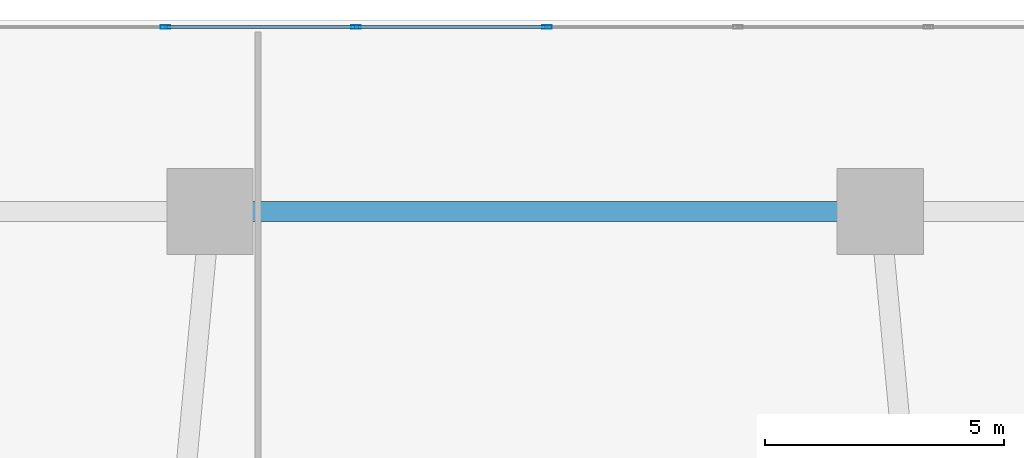
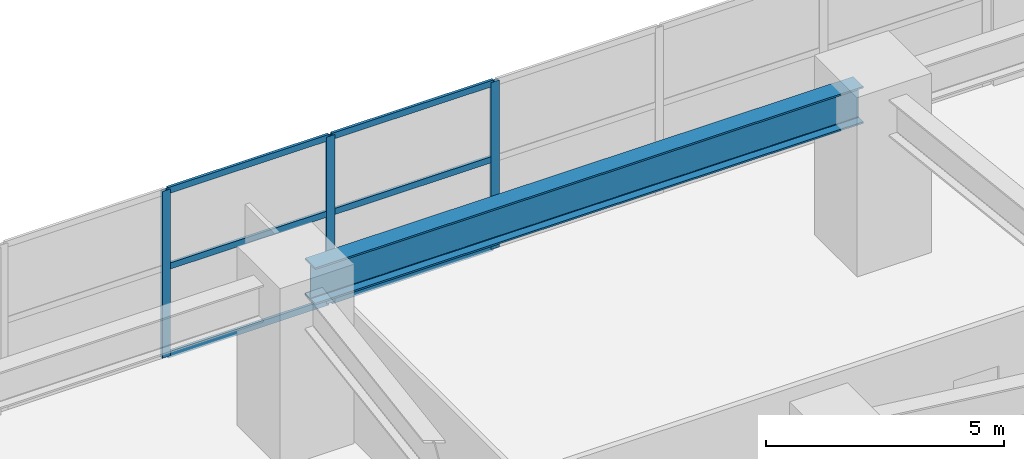
# One storey, part 11 of 25: 9 members, 1 beam, 1 element without a shape of its own.
"""IFC4 building model written with IfcOpenShell, lengths in metres."""

from ifc_helpers import new_model, si_unit, direction, frame, origin, origin_2d, place, context, subcontext, project, spatial, hollow_rectangle, i_section, extrude, material, layer, layer_set, material_profile, profile_set, type_object, element, aggregate, save


model = new_model("IFC4")

# Units and contexts
model_context = context("Model", 3, precision=1e-05, world=origin(), true_north=direction((0.0, 1.0)))
body_context = subcontext(model_context, "Body", "Model", "MODEL_VIEW")
ifc_project = project(units=[si_unit("LENGTHUNIT", "METRE"), si_unit("AREAUNIT", "SQUARE_METRE"), si_unit("VOLUMEUNIT", "CUBIC_METRE"), si_unit("PLANEANGLEUNIT", "RADIAN"), si_unit("MASSUNIT", "GRAM", prefix="KILO")], contexts=[model_context])

# Site, building, storey
site_placement = place(None, origin())
site = spatial("IfcSite", under=ifc_project, at=site_placement, CompositionType="ELEMENT")
building_placement = place(site_placement, origin())
building = spatial("IfcBuilding", under=site, at=building_placement, Name="Solvane Sanctuary Tower", CompositionType="ELEMENT")
storey_placement = place(building_placement, frame((0.0, 0.0, 4.60009765625)))
storey = spatial("IfcBuildingStorey", under=building, at=storey_placement, Name="L02", CompositionType="ELEMENT", Elevation=4.60009765625)

# Beam
ifc_material_1 = material(Name="Steel ASTM A913 Grade 65", Category="steel")
ifc_material_profile_1 = material_profile(ifc_material_1, i_section(OverallWidth=0.423095703125, OverallDepth=0.947998046875, WebThickness=0.02392578125, FlangeThickness=0.042724609375, FilletRadius=0.02392578125, at=origin_2d()), Name="W36X302")
ifc_profile_set_1 = profile_set([ifc_material_profile_1], Name="Steel ASTM A913 Grade 65")
beam_type = type_object("IfcBeamType", Name="Beam B-POD-GIRD W36X302", PredefinedType="BEAM", material=ifc_profile_set_1)
beam_placement = place(storey_placement, frame((38.64990234375, 42.0, 3.803955078125), z_axis=(-1.0, 0.0, 0.0), x_axis=(0.0, -1.0, 0.0)))
element("IfcBeam", 1, at=beam_placement, inside=storey, type_object=beam_type, Name="L02 Podium Primary Girder PG6", PredefinedType="BEAM", context=body_context, shape_type="SweptSolid", body=[
    extrude(i_section(OverallWidth=0.423095703125, OverallDepth=0.947998046875, WebThickness=0.02392578125, FlangeThickness=0.042724609375, FilletRadius=0.02392578125, at=origin_2d()), origin(), (0.0, 0.0, 1.0), 13.2998046875),
])

# Curtain wall, members
ifc_material_2 = material(Name="Anodised Aluminium 6063-T6", Category="aluminium")
ifc_layer = layer(ifc_material_2, 0.159912109375, Name="Anodised Aluminium 6063-T6")
ifc_layer_set = layer_set([ifc_layer], Name="Anodised Aluminium 6063-T6")
curtain_wall_type = type_object("IfcCurtainWallType", Name="Curtain Wall CW-POD", PredefinedType="NOTDEFINED", material=ifc_layer_set)
curtain_wall_placement = place(storey_placement, origin())
curtain_wall = element("IfcCurtainWall", 2, at=curtain_wall_placement, inside=storey, type_object=curtain_wall_type, Name="L02 Sanctuary Curtain Wall N2", PredefinedType="NOTDEFINED")
ifc_material_profile_2 = material_profile(ifc_material_2, hollow_rectangle(XDim=0.074951171875, YDim=0.199951171875, WallThickness=0.00390625, at=origin_2d()), Name="ALU200X75X4")
ifc_profile_set_2 = profile_set([ifc_material_profile_2], Name="Anodised Aluminium 6063-T6")
member_type_1 = type_object("IfcMemberType", Name="Member M-CW-MUL-1 ALU200X75X4", PredefinedType="MULLION", material=ifc_profile_set_2)
member_1_placement = place(storey_placement, frame((32.0400390625, 45.85009765625, 0.0), z_axis=(0.0, 0.0, 1.0), x_axis=(0.0, -1.0, 0.0)))
member_1 = element("IfcMember", 3, at=member_1_placement, type_object=member_type_1, Name="CW-POD mullion 4", PredefinedType="MULLION", context=body_context, shape_type="SweptSolid", body=[
    extrude(hollow_rectangle(XDim=0.074951171875, YDim=0.199951171875, WallThickness=0.00390625, at=origin_2d()), origin(), (0.0, 0.0, 1.0), 4.27978515625),
])
member_2_placement = place(storey_placement, frame((28.05322265625, 45.85009765625, 0.0), z_axis=(0.0, 0.0, 1.0), x_axis=(0.0, -1.0, 0.0)))
member_2 = element("IfcMember", 4, at=member_2_placement, type_object=member_type_1, Name="CW-POD mullion 5", PredefinedType="MULLION", context=body_context, shape_type="SweptSolid", body=[
    extrude(hollow_rectangle(XDim=0.074951171875, YDim=0.199951171875, WallThickness=0.00390625, at=origin_2d()), origin(), (0.0, 0.0, 1.0), 4.27978515625),
])
member_3_placement = place(storey_placement, frame((24.066650390625, 45.85009765625, 0.0), z_axis=(0.0, 0.0, 1.0), x_axis=(0.0, -1.0, 0.0)))
member_3 = element("IfcMember", 5, at=member_3_placement, type_object=member_type_1, Name="CW-POD mullion 6", PredefinedType="MULLION", context=body_context, shape_type="SweptSolid", body=[
    extrude(hollow_rectangle(XDim=0.074951171875, YDim=0.199951171875, WallThickness=0.00390625, at=origin_2d()), origin(), (0.0, 0.0, 1.0), 4.27978515625),
])
ifc_material_profile_3 = material_profile(ifc_material_2, hollow_rectangle(XDim=0.06494140625, YDim=0.159912109375, WallThickness=0.00341796875, at=origin_2d()), Name="ALU160X65X3.5")
ifc_profile_set_3 = profile_set([ifc_material_profile_3], Name="Anodised Aluminium 6063-T6")
member_type_2 = type_object("IfcMemberType", Name="Member M-CW-TRN-1 ALU160X65X3.5", PredefinedType="USERDEFINED", material=ifc_profile_set_3)
member_4_placement = place(storey_placement, frame((32.00244140625, 45.85009765625, 0.032470703125), z_axis=(-1.0, 0.0, 0.0), x_axis=(0.0, -1.0, 0.0)))
member_4 = element("IfcMember", 6, at=member_4_placement, type_object=member_type_2, Name="CW-POD transom 4.1", ObjectType="TRANSOM", PredefinedType="USERDEFINED", context=body_context, shape_type="SweptSolid", body=[
    extrude(hollow_rectangle(XDim=0.06494140625, YDim=0.159912109375, WallThickness=0.00341796875, at=origin_2d()), origin(), (0.0, 0.0, 1.0), 3.91162109375),
])
member_5_placement = place(storey_placement, frame((32.00244140625, 45.85009765625, 2.2998046875), z_axis=(-1.0, 0.0, 0.0), x_axis=(0.0, -1.0, 0.0)))
member_5 = element("IfcMember", 7, at=member_5_placement, type_object=member_type_2, Name="CW-POD transom 4.2", ObjectType="TRANSOM", PredefinedType="USERDEFINED", context=body_context, shape_type="SweptSolid", body=[
    extrude(hollow_rectangle(XDim=0.06494140625, YDim=0.159912109375, WallThickness=0.00341796875, at=origin_2d()), origin(), (0.0, 0.0, 1.0), 3.91162109375),
])
member_6_placement = place(storey_placement, frame((32.00244140625, 45.85009765625, 4.247314453125), z_axis=(-1.0, 0.0, 0.0), x_axis=(0.0, -1.0, 0.0)))
member_6 = element("IfcMember", 8, at=member_6_placement, type_object=member_type_2, Name="CW-POD transom 4.3", ObjectType="TRANSOM", PredefinedType="USERDEFINED", context=body_context, shape_type="SweptSolid", body=[
    extrude(hollow_rectangle(XDim=0.06494140625, YDim=0.159912109375, WallThickness=0.00341796875, at=origin_2d()), origin(), (0.0, 0.0, 1.0), 3.91162109375),
])
member_7_placement = place(storey_placement, frame((28.015869140625, 45.85009765625, 0.032470703125), z_axis=(-1.0, 0.0, 0.0), x_axis=(0.0, -1.0, 0.0)))
member_7 = element("IfcMember", 9, at=member_7_placement, type_object=member_type_2, Name="CW-POD transom 5.1", ObjectType="TRANSOM", PredefinedType="USERDEFINED", context=body_context, shape_type="SweptSolid", body=[
    extrude(hollow_rectangle(XDim=0.06494140625, YDim=0.159912109375, WallThickness=0.00341796875, at=origin_2d()), origin(), (0.0, 0.0, 1.0), 3.91162109375),
])
member_8_placement = place(storey_placement, frame((28.015869140625, 45.85009765625, 2.2998046875), z_axis=(-1.0, 0.0, 0.0), x_axis=(0.0, -1.0, 0.0)))
member_8 = element("IfcMember", 10, at=member_8_placement, type_object=member_type_2, Name="CW-POD transom 5.2", ObjectType="TRANSOM", PredefinedType="USERDEFINED", context=body_context, shape_type="SweptSolid", body=[
    extrude(hollow_rectangle(XDim=0.06494140625, YDim=0.159912109375, WallThickness=0.00341796875, at=origin_2d()), origin(), (0.0, 0.0, 1.0), 3.91162109375),
])
member_9_placement = place(storey_placement, frame((28.015869140625, 45.85009765625, 4.247314453125), z_axis=(-1.0, 0.0, 0.0), x_axis=(0.0, -1.0, 0.0)))
member_9 = element("IfcMember", 11, at=member_9_placement, type_object=member_type_2, Name="CW-POD transom 5.3", ObjectType="TRANSOM", PredefinedType="USERDEFINED", context=body_context, shape_type="SweptSolid", body=[
    extrude(hollow_rectangle(XDim=0.06494140625, YDim=0.159912109375, WallThickness=0.00341796875, at=origin_2d()), origin(), (0.0, 0.0, 1.0), 3.91162109375),
])
aggregate(curtain_wall, [member_1, member_2, member_3, member_4, member_5, member_6, member_7, member_8, member_9])

save(model, "model.ifc")
